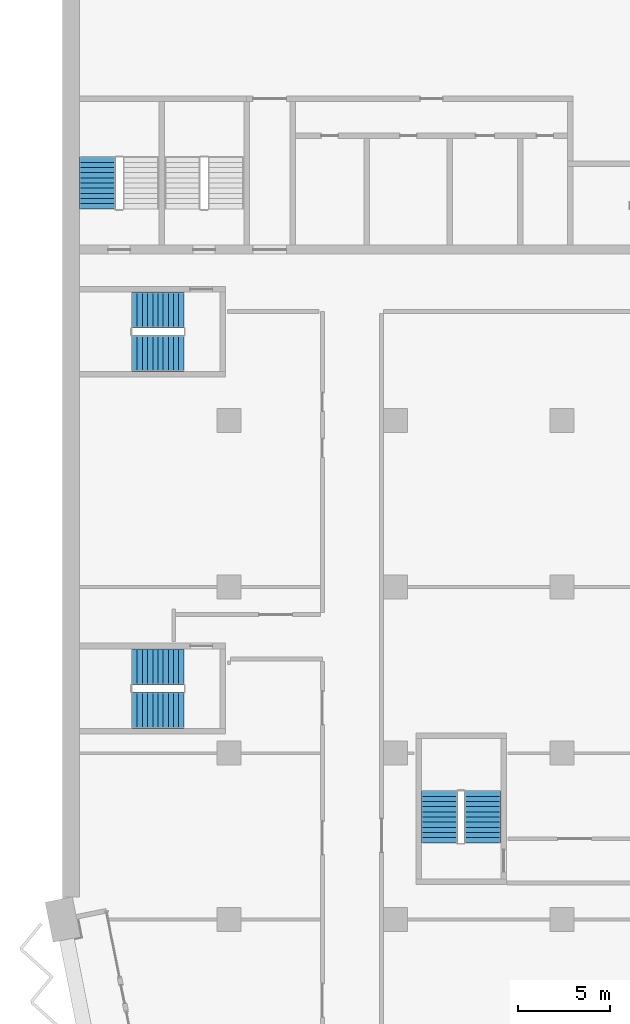
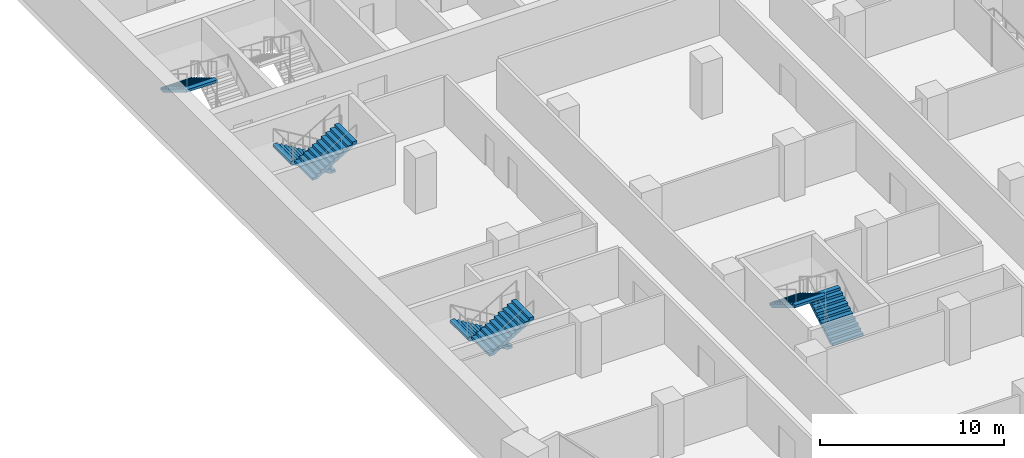
# One storey, part 16 of 23: 7 stair flights, 4 elements without a shape of their own.
"""IFC4 building model written with IfcOpenShell, lengths in metres."""

import ifcopenshell
import ifcopenshell.guid

model = None  # the IFC model being written
_history = None  # IfcOwnerHistory: only IFC2X3 demands one
_inside = {}  # id of a spatial element -> (the spatial element, [elements in it])
_under = {}  # id of a project, library or spatial element -> (it, [spatial elements below it])
_declared = {}  # id of a project -> (the project, [libraries it declares])
_typed = {}  # id of a type object -> (the type object, [elements of that type])
_made_of = {}  # id of a material, layer set ... -> (it, [elements and type objects made of it])


def new_model(schema):
    """Start an empty IFC model of exactly this schema.

    Asked for "IFC4X3", IfcOpenShell would pick the latest addendum, in which some entities
    have other attributes; the version numbers below select the first issue.
    IFC2X3 requires an IfcOwnerHistory on every rooted entity: one is made here for all.
    """
    global model, _history
    if schema == "IFC4X3":
        model = ifcopenshell.file(schema_version=(4, 3, 0, 0))
    else:
        model = ifcopenshell.file(schema=schema)
    _inside.clear()
    _under.clear()
    _declared.clear()
    _typed.clear()
    _made_of.clear()
    _history = None
    if model.schema == "IFC2X3":
        org = make("IfcOrganization", Name="unknown")
        user = make(
            "IfcPersonAndOrganization",
            ThePerson=make("IfcPerson", FamilyName="unknown"),
            TheOrganization=org,
        )
        app = make(
            "IfcApplication",
            ApplicationDeveloper=org,
            Version="unknown",
            ApplicationFullName="unknown",
            ApplicationIdentifier="unknown",
        )
        _history = make(
            "IfcOwnerHistory",
            OwningUser=user,
            OwningApplication=app,
            ChangeAction="ADDED",
            CreationDate=0,
        )
    return model


def make(cls, **values):
    """One entity of the class cls with the attributes given. An attribute that is None is left unset."""
    return model.create_entity(
        cls, **{name: value for name, value in values.items() if value is not None}
    )


def rooted(cls, **values):
    """An entity with a GlobalId (a new one), such as an element, a storey or a relation."""
    return make(cls, GlobalId=ifcopenshell.guid.new(), OwnerHistory=_history, **values)


def si_unit(unit_type, name, prefix=None):
    """IfcSIUnit, for example si_unit("LENGTHUNIT", "METRE", prefix="MILLI")."""
    return make("IfcSIUnit", UnitType=unit_type, Prefix=prefix, Name=name)


def assignment(units):
    """IfcUnitAssignment: the units of a project."""
    return None if units is None else make("IfcUnitAssignment", Units=units)


def point(xyz):
    """IfcCartesianPoint."""
    return None if xyz is None else make("IfcCartesianPoint", Coordinates=xyz)


def direction(xyz):
    """IfcDirection."""
    return None if xyz is None else make("IfcDirection", DirectionRatios=xyz)


def frame(location, z_axis=None, x_axis=None):
    """IfcAxis2Placement3D, a coordinate frame: its origin and axes. An axis left out is left unset."""
    return make(
        "IfcAxis2Placement3D",
        Location=point(location),
        Axis=direction(z_axis),
        RefDirection=direction(x_axis),
    )


def origin():
    """The frame at (0, 0, 0) with its axes left unset."""
    return frame((0.0, 0.0, 0.0))


def place(relative_to, where):
    """IfcLocalPlacement: puts the frame where relative to a parent placement (None: the world)."""
    return make(
        "IfcLocalPlacement", PlacementRelTo=relative_to, RelativePlacement=where
    )


def context(
    kind, dimensions, precision=None, world=None, true_north=None, identifier=None
):
    """IfcGeometricRepresentationContext, for example the 3D "Model" context."""
    return make(
        "IfcGeometricRepresentationContext",
        ContextIdentifier=identifier,
        ContextType=kind,
        CoordinateSpaceDimension=dimensions,
        Precision=precision,
        WorldCoordinateSystem=world,
        TrueNorth=true_north,
    )


def subcontext(parent, identifier, kind, view, scale=None):
    """IfcGeometricRepresentationSubContext, for example "Body" below "Model"."""
    return make(
        "IfcGeometricRepresentationSubContext",
        ContextIdentifier=identifier,
        ContextType=kind,
        ParentContext=parent,
        TargetScale=scale,
        TargetView=view,
    )


def project(units=None, contexts=None):
    """IfcProject with its units and contexts."""
    return rooted(
        "IfcProject",
        Name="project",
        RepresentationContexts=contexts,
        UnitsInContext=assignment(units),
    )


def spatial(cls, under=None, at=None, **own):
    """A site, building, storey or space (cls), placed at a placement, below another one or the project."""
    s = rooted(cls, ObjectPlacement=at, **own)
    if under is not None:
        _under.setdefault(under.id(), (under, []))[1].append(s)
    return s


def polyline(points):
    """IfcPolyline through the points."""
    return make("IfcPolyline", Points=[point(p) for p in points])


def outline(outer, holes=None, kind="AREA"):
    """IfcArbitraryClosedProfileDef: a profile drawn as a closed curve; with holes, ...WithVoids."""
    if holes is None:
        return make("IfcArbitraryClosedProfileDef", ProfileType=kind, OuterCurve=outer)
    return make(
        "IfcArbitraryProfileDefWithVoids",
        ProfileType=kind,
        OuterCurve=outer,
        InnerCurves=holes,
    )


def extrude(swept, where, along, depth):
    """IfcExtrudedAreaSolid: the profile swept, set in the frame where, extruded along a direction by depth."""
    return make(
        "IfcExtrudedAreaSolid",
        SweptArea=swept,
        Position=where,
        ExtrudedDirection=direction(along),
        Depth=depth,
    )


def shape(context_of_items, identifier, shape_type, items):
    """IfcShapeRepresentation: the items that make up one representation, for example the "Body"."""
    return make(
        "IfcShapeRepresentation",
        ContextOfItems=context_of_items,
        RepresentationIdentifier=identifier,
        RepresentationType=shape_type,
        Items=items,
    )


def material(Name=None, Category=None):
    """IfcMaterial."""
    return make("IfcMaterial", Name=Name, Category=Category)


def made_of(thing, what):
    """Note that an element or type object is made of a material, layer set ...; save() writes the relation."""
    if what is not None:
        _made_of.setdefault(what.id(), (what, []))[1].append(thing)
    return thing


def type_object(cls, material=None, **own):
    """A type object (cls), such as IfcWallType, which elements share."""
    return made_of(rooted(cls, **own), material)


def element(
    cls,
    number,
    at=None,
    inside=None,
    cuts=None,
    type_object=None,
    material=None,
    context=None,
    identifier="Body",
    shape_type=None,
    held_by="IfcProductDefinitionShape",
    body=None,
    shapes=None,
    **own,
):
    """One element of the class cls, such as IfcWall. Its Tag is "e" and its number.

    at: its placement. inside: the storey or other place that contains it. cuts: it is an
    opening in that element (IfcRelVoidsElement). A single representation is given by context,
    identifier, shape_type and body (its items); several are given by shapes. held_by: the class
    of the entity that holds the representations. save() writes the other relations.
    """
    e = rooted(cls, Tag="e%d" % number, ObjectPlacement=at, **own)
    if body is not None:
        shapes = [shape(context, identifier, shape_type, body)]
    if shapes is not None:
        e.Representation = make(held_by, Representations=shapes)
    if inside is not None:
        _inside.setdefault(inside.id(), (inside, []))[1].append(e)
    if cuts is not None:
        rooted(
            "IfcRelVoidsElement", RelatingBuildingElement=cuts, RelatedOpeningElement=e
        )
    if type_object is not None:
        _typed.setdefault(type_object.id(), (type_object, []))[1].append(e)
    return made_of(e, material)


def aggregate(whole, parts):
    """IfcRelAggregates: a whole, such as a stair, and the parts it consists of."""
    return rooted("IfcRelAggregates", RelatingObject=whole, RelatedObjects=parts)


def save(model, path):
    """Write the relations noted so far, then the file.

    IfcRelAggregates (storeys below a building ...), IfcRelContainedInSpatialStructure (elements
    in a storey), IfcRelDefinesByType, IfcRelAssociatesMaterial and IfcRelDeclares: one each for
    every whole, place, type object, material and project.
    """
    for whole, parts in _under.values():
        aggregate(whole, parts)
    for where, things in _inside.values():
        rooted(
            "IfcRelContainedInSpatialStructure",
            RelatedElements=things,
            RelatingStructure=where,
        )
    for kind, things in _typed.values():
        rooted("IfcRelDefinesByType", RelatedObjects=things, RelatingType=kind)
    for what, things in _made_of.values():
        rooted("IfcRelAssociatesMaterial", RelatedObjects=things, RelatingMaterial=what)
    for by, libraries in _declared.values():
        rooted("IfcRelDeclares", RelatingContext=by, RelatedDefinitions=libraries)
    model.write(path)


model = new_model("IFC4")

# Units and contexts
model_context = context("Model", 3, precision=1e-05, world=origin(), true_north=direction((0.0, 1.0)))
body_context = subcontext(model_context, "Body", "Model", "MODEL_VIEW")
ifc_project = project(units=[si_unit("LENGTHUNIT", "METRE"), si_unit("AREAUNIT", "SQUARE_METRE"), si_unit("VOLUMEUNIT", "CUBIC_METRE"), si_unit("PLANEANGLEUNIT", "RADIAN"), si_unit("MASSUNIT", "GRAM", prefix="KILO")], contexts=[model_context])

# Site, building, storey
site_placement = place(None, origin())
site = spatial("IfcSite", under=ifc_project, at=site_placement, CompositionType="ELEMENT")
building_placement = place(site_placement, origin())
building = spatial("IfcBuilding", under=site, at=building_placement, Name="Hunhe Ridgeline Campus", CompositionType="ELEMENT")
storey_placement = place(building_placement, frame((0.0, 0.0, 107.0)))
storey = spatial("IfcBuildingStorey", under=building, at=storey_placement, Name="L26", CompositionType="ELEMENT", Elevation=107.0)

# Stair, stair flight
ifc_material = material(Name="Concrete C40", Category="concrete")
stair_type = type_object("IfcStairType", Name="Reinforced concrete dog-leg stair 1950 Concrete C40", PredefinedType="HALF_TURN_STAIR", material=ifc_material)
stair_1_placement = place(storey_placement, origin())
stair_1 = element("IfcStair", 1, at=stair_1_placement, inside=storey, type_object=stair_type, Name="L26 S3", PredefinedType="HALF_TURN_STAIR")
stair_flight_type = type_object("IfcStairFlightType", Name="Reinforced concrete stair flight 1950 Concrete C40", PredefinedType="STRAIGHT", material=ifc_material)
stair_flight_1_placement = place(storey_placement, frame((1.875, 68.25, 1.85009765625), z_axis=(0.0, 0.0, 1.0), x_axis=(0.0, -1.0, 0.0)))
stair_flight_1 = element("IfcStairFlight", 2, at=stair_flight_1_placement, type_object=stair_flight_type, Name="ST3 flight 2", NumberOfRisers=11, NumberOfTreads=10, PredefinedType="STRAIGHT", RiserHeight=0.168181818, TreadLength=0.28, context=body_context, shape_type="SweptSolid", body=[
    extrude(outline(polyline([(0.0, 0.0), (0.0, 0.168212890625), (0.280029296875, 0.168212890625), (0.280029296875, 0.33642578125), (0.56005859375, 0.33642578125), (0.56005859375, 0.504638671875), (0.840087890625, 0.504638671875), (0.840087890625, 0.672607421875), (1.1201171875, 0.672607421875), (1.1201171875, 0.8408203125), (1.39990234375, 0.8408203125), (1.39990234375, 1.009033203125), (1.679931640625, 1.009033203125), (1.679931640625, 1.17724609375), (1.9599609375, 1.17724609375), (1.9599609375, 1.345458984375), (2.239990234375, 1.345458984375), (2.239990234375, 1.513671875), (2.52001953125, 1.513671875), (2.52001953125, 1.681884765625), (2.800048828125, 1.681884765625), (2.800048828125, 1.85009765625), (2.800048828125, 1.5068359375), (0.291015625, 0.0), (0.0, 0.0)])), frame((0.0, 0.97509765625, 0.0), z_axis=(0.0, -1.0, 0.0), x_axis=(1.0, 0.0, 0.0)), (0.0, 0.0, 1.0), 1.949951171875),
    extrude(outline(polyline([(0.030029296875, 0.030029296875), (0.030029296875, 0.13818359375), (0.31005859375, 0.13818359375), (0.31005859375, 0.306396484375), (0.590087890625, 0.306396484375), (0.590087890625, 0.474609375), (0.8701171875, 0.474609375), (0.8701171875, 0.642578125), (1.14990234375, 0.642578125), (1.14990234375, 0.810791015625), (1.429931640625, 0.810791015625), (1.429931640625, 0.97900390625), (1.7099609375, 0.97900390625), (1.7099609375, 1.147216796875), (1.989990234375, 1.147216796875), (1.989990234375, 1.3154296875), (2.27001953125, 1.3154296875), (2.27001953125, 1.483642578125), (2.550048828125, 1.483642578125), (2.550048828125, 1.65185546875), (2.77001953125, 1.65185546875), (2.77001953125, 1.52392578125), (0.28271484375, 0.030029296875), (0.030029296875, 0.030029296875)])), frame((0.0, -0.070068359375, 0.0), z_axis=(0.0, -1.0, 0.0), x_axis=(1.0, 0.0, 0.0)), (0.0, 0.0, 1.0), 0.019775390625),
    extrude(outline(polyline([(0.030029296875, 0.030029296875), (0.030029296875, 0.13818359375), (0.31005859375, 0.13818359375), (0.31005859375, 0.306396484375), (0.590087890625, 0.306396484375), (0.590087890625, 0.474609375), (0.8701171875, 0.474609375), (0.8701171875, 0.642578125), (1.14990234375, 0.642578125), (1.14990234375, 0.810791015625), (1.429931640625, 0.810791015625), (1.429931640625, 0.97900390625), (1.7099609375, 0.97900390625), (1.7099609375, 1.147216796875), (1.989990234375, 1.147216796875), (1.989990234375, 1.3154296875), (2.27001953125, 1.3154296875), (2.27001953125, 1.483642578125), (2.550048828125, 1.483642578125), (2.550048828125, 1.65185546875), (2.77001953125, 1.65185546875), (2.77001953125, 1.52392578125), (0.28271484375, 0.030029296875), (0.030029296875, 0.030029296875)])), frame((0.0, 0.010009765625, 0.0), z_axis=(0.0, -1.0, 0.0), x_axis=(1.0, 0.0, 0.0)), (0.0, 0.0, 1.0), 0.019775390625),
    extrude(outline(polyline([(0.030029296875, 0.030029296875), (0.030029296875, 0.13818359375), (0.31005859375, 0.13818359375), (0.31005859375, 0.306396484375), (0.590087890625, 0.306396484375), (0.590087890625, 0.474609375), (0.8701171875, 0.474609375), (0.8701171875, 0.642578125), (1.14990234375, 0.642578125), (1.14990234375, 0.810791015625), (1.429931640625, 0.810791015625), (1.429931640625, 0.97900390625), (1.7099609375, 0.97900390625), (1.7099609375, 1.147216796875), (1.989990234375, 1.147216796875), (1.989990234375, 1.3154296875), (2.27001953125, 1.3154296875), (2.27001953125, 1.483642578125), (2.550048828125, 1.483642578125), (2.550048828125, 1.65185546875), (2.77001953125, 1.65185546875), (2.77001953125, 1.52392578125), (0.28271484375, 0.030029296875), (0.030029296875, 0.030029296875)])), frame((0.0, 0.090087890625, 0.0), z_axis=(0.0, -1.0, 0.0), x_axis=(1.0, 0.0, 0.0)), (0.0, 0.0, 1.0), 0.019775390625),
])
aggregate(stair_1, [stair_flight_1])

# Stair, stair flights
stair_2_placement = place(storey_placement, origin())
stair_2 = element("IfcStair", 3, at=stair_2_placement, inside=storey, type_object=stair_type, Name="L26 W3", PredefinedType="HALF_TURN_STAIR")
stair_flight_2_placement = place(storey_placement, frame((22.72509765625, 31.14990234375, 0.0), z_axis=(0.0, 0.0, 1.0), x_axis=(0.0, 1.0, 0.0)))
stair_flight_2 = element("IfcStairFlight", 4, at=stair_flight_2_placement, type_object=stair_flight_type, Name="ST9 flight 1", NumberOfRisers=11, NumberOfTreads=10, PredefinedType="STRAIGHT", RiserHeight=0.168181818, TreadLength=0.28, context=body_context, shape_type="SweptSolid", body=[
    extrude(outline(polyline([(0.0, 0.0), (0.0, 0.168212890625), (0.280029296875, 0.168212890625), (0.280029296875, 0.33642578125), (0.56005859375, 0.33642578125), (0.56005859375, 0.504638671875), (0.840087890625, 0.504638671875), (0.840087890625, 0.672607421875), (1.1201171875, 0.672607421875), (1.1201171875, 0.8408203125), (1.39990234375, 0.8408203125), (1.39990234375, 1.009033203125), (1.679931640625, 1.009033203125), (1.679931640625, 1.17724609375), (1.9599609375, 1.17724609375), (1.9599609375, 1.345458984375), (2.239990234375, 1.345458984375), (2.239990234375, 1.513671875), (2.52001953125, 1.513671875), (2.52001953125, 1.681884765625), (2.800048828125, 1.681884765625), (2.800048828125, 1.85009765625), (2.800048828125, 1.5068359375), (0.291015625, 0.0), (0.0, 0.0)])), frame((0.0, 0.97509765625, 0.0), z_axis=(0.0, -1.0, 0.0), x_axis=(1.0, 0.0, 0.0)), (0.0, 0.0, 1.0), 1.949951171875),
    extrude(outline(polyline([(0.030029296875, 0.030029296875), (0.030029296875, 0.13818359375), (0.31005859375, 0.13818359375), (0.31005859375, 0.306396484375), (0.590087890625, 0.306396484375), (0.590087890625, 0.474609375), (0.8701171875, 0.474609375), (0.8701171875, 0.642578125), (1.14990234375, 0.642578125), (1.14990234375, 0.810791015625), (1.429931640625, 0.810791015625), (1.429931640625, 0.97900390625), (1.7099609375, 0.97900390625), (1.7099609375, 1.147216796875), (1.989990234375, 1.147216796875), (1.989990234375, 1.3154296875), (2.27001953125, 1.3154296875), (2.27001953125, 1.483642578125), (2.550048828125, 1.483642578125), (2.550048828125, 1.65185546875), (2.77001953125, 1.65185546875), (2.77001953125, 1.52392578125), (0.28271484375, 0.030029296875), (0.030029296875, 0.030029296875)])), frame((0.0, -0.070068359375, 0.0), z_axis=(0.0, -1.0, 0.0), x_axis=(1.0, 0.0, 0.0)), (0.0, 0.0, 1.0), 0.019775390625),
    extrude(outline(polyline([(0.030029296875, 0.030029296875), (0.030029296875, 0.13818359375), (0.31005859375, 0.13818359375), (0.31005859375, 0.306396484375), (0.590087890625, 0.306396484375), (0.590087890625, 0.474609375), (0.8701171875, 0.474609375), (0.8701171875, 0.642578125), (1.14990234375, 0.642578125), (1.14990234375, 0.810791015625), (1.429931640625, 0.810791015625), (1.429931640625, 0.97900390625), (1.7099609375, 0.97900390625), (1.7099609375, 1.147216796875), (1.989990234375, 1.147216796875), (1.989990234375, 1.3154296875), (2.27001953125, 1.3154296875), (2.27001953125, 1.483642578125), (2.550048828125, 1.483642578125), (2.550048828125, 1.65185546875), (2.77001953125, 1.65185546875), (2.77001953125, 1.52392578125), (0.28271484375, 0.030029296875), (0.030029296875, 0.030029296875)])), frame((0.0, 0.010009765625, 0.0), z_axis=(0.0, -1.0, 0.0), x_axis=(1.0, 0.0, 0.0)), (0.0, 0.0, 1.0), 0.019775390625),
    extrude(outline(polyline([(0.030029296875, 0.030029296875), (0.030029296875, 0.13818359375), (0.31005859375, 0.13818359375), (0.31005859375, 0.306396484375), (0.590087890625, 0.306396484375), (0.590087890625, 0.474609375), (0.8701171875, 0.474609375), (0.8701171875, 0.642578125), (1.14990234375, 0.642578125), (1.14990234375, 0.810791015625), (1.429931640625, 0.810791015625), (1.429931640625, 0.97900390625), (1.7099609375, 0.97900390625), (1.7099609375, 1.147216796875), (1.989990234375, 1.147216796875), (1.989990234375, 1.3154296875), (2.27001953125, 1.3154296875), (2.27001953125, 1.483642578125), (2.550048828125, 1.483642578125), (2.550048828125, 1.65185546875), (2.77001953125, 1.65185546875), (2.77001953125, 1.52392578125), (0.28271484375, 0.030029296875), (0.030029296875, 0.030029296875)])), frame((0.0, 0.090087890625, 0.0), z_axis=(0.0, -1.0, 0.0), x_axis=(1.0, 0.0, 0.0)), (0.0, 0.0, 1.0), 0.019775390625),
])
stair_flight_3_placement = place(storey_placement, frame((20.375, 33.949951171875, 1.85009765625), z_axis=(0.0, 0.0, 1.0), x_axis=(0.0, -1.0, 0.0)))
stair_flight_3 = element("IfcStairFlight", 5, at=stair_flight_3_placement, type_object=stair_flight_type, Name="ST9 flight 2", NumberOfRisers=11, NumberOfTreads=10, PredefinedType="STRAIGHT", RiserHeight=0.168181818, TreadLength=0.28, context=body_context, shape_type="SweptSolid", body=[
    extrude(outline(polyline([(0.0, 0.0), (0.0, 0.168212890625), (0.280029296875, 0.168212890625), (0.280029296875, 0.33642578125), (0.56005859375, 0.33642578125), (0.56005859375, 0.504638671875), (0.840087890625, 0.504638671875), (0.840087890625, 0.672607421875), (1.1201171875, 0.672607421875), (1.1201171875, 0.8408203125), (1.39990234375, 0.8408203125), (1.39990234375, 1.009033203125), (1.679931640625, 1.009033203125), (1.679931640625, 1.17724609375), (1.9599609375, 1.17724609375), (1.9599609375, 1.345458984375), (2.239990234375, 1.345458984375), (2.239990234375, 1.513671875), (2.52001953125, 1.513671875), (2.52001953125, 1.681884765625), (2.800048828125, 1.681884765625), (2.800048828125, 1.85009765625), (2.800048828125, 1.5068359375), (0.291015625, 0.0), (0.0, 0.0)])), frame((0.0, 0.97509765625, 0.0), z_axis=(0.0, -1.0, 0.0), x_axis=(1.0, 0.0, 0.0)), (0.0, 0.0, 1.0), 1.949951171875),
    extrude(outline(polyline([(0.030029296875, 0.030029296875), (0.030029296875, 0.13818359375), (0.31005859375, 0.13818359375), (0.31005859375, 0.306396484375), (0.590087890625, 0.306396484375), (0.590087890625, 0.474609375), (0.8701171875, 0.474609375), (0.8701171875, 0.642578125), (1.14990234375, 0.642578125), (1.14990234375, 0.810791015625), (1.429931640625, 0.810791015625), (1.429931640625, 0.97900390625), (1.7099609375, 0.97900390625), (1.7099609375, 1.147216796875), (1.989990234375, 1.147216796875), (1.989990234375, 1.3154296875), (2.27001953125, 1.3154296875), (2.27001953125, 1.483642578125), (2.550048828125, 1.483642578125), (2.550048828125, 1.65185546875), (2.77001953125, 1.65185546875), (2.77001953125, 1.52392578125), (0.28271484375, 0.030029296875), (0.030029296875, 0.030029296875)])), frame((0.0, -0.070068359375, 0.0), z_axis=(0.0, -1.0, 0.0), x_axis=(1.0, 0.0, 0.0)), (0.0, 0.0, 1.0), 0.019775390625),
    extrude(outline(polyline([(0.030029296875, 0.030029296875), (0.030029296875, 0.13818359375), (0.31005859375, 0.13818359375), (0.31005859375, 0.306396484375), (0.590087890625, 0.306396484375), (0.590087890625, 0.474609375), (0.8701171875, 0.474609375), (0.8701171875, 0.642578125), (1.14990234375, 0.642578125), (1.14990234375, 0.810791015625), (1.429931640625, 0.810791015625), (1.429931640625, 0.97900390625), (1.7099609375, 0.97900390625), (1.7099609375, 1.147216796875), (1.989990234375, 1.147216796875), (1.989990234375, 1.3154296875), (2.27001953125, 1.3154296875), (2.27001953125, 1.483642578125), (2.550048828125, 1.483642578125), (2.550048828125, 1.65185546875), (2.77001953125, 1.65185546875), (2.77001953125, 1.52392578125), (0.28271484375, 0.030029296875), (0.030029296875, 0.030029296875)])), frame((0.0, 0.010009765625, 0.0), z_axis=(0.0, -1.0, 0.0), x_axis=(1.0, 0.0, 0.0)), (0.0, 0.0, 1.0), 0.019775390625),
    extrude(outline(polyline([(0.030029296875, 0.030029296875), (0.030029296875, 0.13818359375), (0.31005859375, 0.13818359375), (0.31005859375, 0.306396484375), (0.590087890625, 0.306396484375), (0.590087890625, 0.474609375), (0.8701171875, 0.474609375), (0.8701171875, 0.642578125), (1.14990234375, 0.642578125), (1.14990234375, 0.810791015625), (1.429931640625, 0.810791015625), (1.429931640625, 0.97900390625), (1.7099609375, 0.97900390625), (1.7099609375, 1.147216796875), (1.989990234375, 1.147216796875), (1.989990234375, 1.3154296875), (2.27001953125, 1.3154296875), (2.27001953125, 1.483642578125), (2.550048828125, 1.483642578125), (2.550048828125, 1.65185546875), (2.77001953125, 1.65185546875), (2.77001953125, 1.52392578125), (0.28271484375, 0.030029296875), (0.030029296875, 0.030029296875)])), frame((0.0, 0.090087890625, 0.0), z_axis=(0.0, -1.0, 0.0), x_axis=(1.0, 0.0, 0.0)), (0.0, 0.0, 1.0), 0.019775390625),
])
aggregate(stair_2, [stair_flight_2, stair_flight_3])

stair_3_placement = place(storey_placement, origin())
stair_3 = element("IfcStair", 6, at=stair_3_placement, inside=storey, type_object=stair_type, Name="L26 W1", PredefinedType="HALF_TURN_STAIR")
stair_flight_4_placement = place(storey_placement, frame((6.550048828125, 40.675048828125, 0.0), z_axis=(0.0, 0.0, 1.0), x_axis=(-1.0, 0.0, 0.0)))
stair_flight_4 = element("IfcStairFlight", 7, at=stair_flight_4_placement, type_object=stair_flight_type, Name="ST11 flight 1", NumberOfRisers=11, NumberOfTreads=10, PredefinedType="STRAIGHT", RiserHeight=0.168181818, TreadLength=0.28, context=body_context, shape_type="SweptSolid", body=[
    extrude(outline(polyline([(0.0, 0.0), (0.0, 0.168212890625), (0.280029296875, 0.168212890625), (0.280029296875, 0.33642578125), (0.56005859375, 0.33642578125), (0.56005859375, 0.504638671875), (0.840087890625, 0.504638671875), (0.840087890625, 0.672607421875), (1.1201171875, 0.672607421875), (1.1201171875, 0.8408203125), (1.39990234375, 0.8408203125), (1.39990234375, 1.009033203125), (1.679931640625, 1.009033203125), (1.679931640625, 1.17724609375), (1.9599609375, 1.17724609375), (1.9599609375, 1.345458984375), (2.239990234375, 1.345458984375), (2.239990234375, 1.513671875), (2.52001953125, 1.513671875), (2.52001953125, 1.681884765625), (2.800048828125, 1.681884765625), (2.800048828125, 1.85009765625), (2.800048828125, 1.5068359375), (0.291015625, 0.0), (0.0, 0.0)])), frame((0.0, 0.97509765625, 0.0), z_axis=(0.0, -1.0, 0.0), x_axis=(1.0, 0.0, 0.0)), (0.0, 0.0, 1.0), 1.949951171875),
    extrude(outline(polyline([(0.030029296875, 0.030029296875), (0.030029296875, 0.13818359375), (0.31005859375, 0.13818359375), (0.31005859375, 0.306396484375), (0.590087890625, 0.306396484375), (0.590087890625, 0.474609375), (0.8701171875, 0.474609375), (0.8701171875, 0.642578125), (1.14990234375, 0.642578125), (1.14990234375, 0.810791015625), (1.429931640625, 0.810791015625), (1.429931640625, 0.97900390625), (1.7099609375, 0.97900390625), (1.7099609375, 1.147216796875), (1.989990234375, 1.147216796875), (1.989990234375, 1.3154296875), (2.27001953125, 1.3154296875), (2.27001953125, 1.483642578125), (2.550048828125, 1.483642578125), (2.550048828125, 1.65185546875), (2.77001953125, 1.65185546875), (2.77001953125, 1.52392578125), (0.28271484375, 0.030029296875), (0.030029296875, 0.030029296875)])), frame((0.0, -0.070068359375, 0.0), z_axis=(0.0, -1.0, 0.0), x_axis=(1.0, 0.0, 0.0)), (0.0, 0.0, 1.0), 0.019775390625),
    extrude(outline(polyline([(0.030029296875, 0.030029296875), (0.030029296875, 0.13818359375), (0.31005859375, 0.13818359375), (0.31005859375, 0.306396484375), (0.590087890625, 0.306396484375), (0.590087890625, 0.474609375), (0.8701171875, 0.474609375), (0.8701171875, 0.642578125), (1.14990234375, 0.642578125), (1.14990234375, 0.810791015625), (1.429931640625, 0.810791015625), (1.429931640625, 0.97900390625), (1.7099609375, 0.97900390625), (1.7099609375, 1.147216796875), (1.989990234375, 1.147216796875), (1.989990234375, 1.3154296875), (2.27001953125, 1.3154296875), (2.27001953125, 1.483642578125), (2.550048828125, 1.483642578125), (2.550048828125, 1.65185546875), (2.77001953125, 1.65185546875), (2.77001953125, 1.52392578125), (0.28271484375, 0.030029296875), (0.030029296875, 0.030029296875)])), frame((0.0, 0.010009765625, 0.0), z_axis=(0.0, -1.0, 0.0), x_axis=(1.0, 0.0, 0.0)), (0.0, 0.0, 1.0), 0.019775390625),
    extrude(outline(polyline([(0.030029296875, 0.030029296875), (0.030029296875, 0.13818359375), (0.31005859375, 0.13818359375), (0.31005859375, 0.306396484375), (0.590087890625, 0.306396484375), (0.590087890625, 0.474609375), (0.8701171875, 0.474609375), (0.8701171875, 0.642578125), (1.14990234375, 0.642578125), (1.14990234375, 0.810791015625), (1.429931640625, 0.810791015625), (1.429931640625, 0.97900390625), (1.7099609375, 0.97900390625), (1.7099609375, 1.147216796875), (1.989990234375, 1.147216796875), (1.989990234375, 1.3154296875), (2.27001953125, 1.3154296875), (2.27001953125, 1.483642578125), (2.550048828125, 1.483642578125), (2.550048828125, 1.65185546875), (2.77001953125, 1.65185546875), (2.77001953125, 1.52392578125), (0.28271484375, 0.030029296875), (0.030029296875, 0.030029296875)])), frame((0.0, 0.090087890625, 0.0), z_axis=(0.0, -1.0, 0.0), x_axis=(1.0, 0.0, 0.0)), (0.0, 0.0, 1.0), 0.019775390625),
])
stair_flight_5_placement = place(storey_placement, frame((3.75, 38.324951171875, 1.85009765625), z_axis=(0.0, 0.0, 1.0), x_axis=(1.0, 0.0, 0.0)))
stair_flight_5 = element("IfcStairFlight", 8, at=stair_flight_5_placement, type_object=stair_flight_type, Name="ST11 flight 2", NumberOfRisers=11, NumberOfTreads=10, PredefinedType="STRAIGHT", RiserHeight=0.168181818, TreadLength=0.28, context=body_context, shape_type="SweptSolid", body=[
    extrude(outline(polyline([(0.0, 0.0), (0.0, 0.168212890625), (0.280029296875, 0.168212890625), (0.280029296875, 0.33642578125), (0.56005859375, 0.33642578125), (0.56005859375, 0.504638671875), (0.840087890625, 0.504638671875), (0.840087890625, 0.672607421875), (1.1201171875, 0.672607421875), (1.1201171875, 0.8408203125), (1.39990234375, 0.8408203125), (1.39990234375, 1.009033203125), (1.679931640625, 1.009033203125), (1.679931640625, 1.17724609375), (1.9599609375, 1.17724609375), (1.9599609375, 1.345458984375), (2.239990234375, 1.345458984375), (2.239990234375, 1.513671875), (2.52001953125, 1.513671875), (2.52001953125, 1.681884765625), (2.800048828125, 1.681884765625), (2.800048828125, 1.85009765625), (2.800048828125, 1.5068359375), (0.291015625, 0.0), (0.0, 0.0)])), frame((0.0, 0.97509765625, 0.0), z_axis=(0.0, -1.0, 0.0), x_axis=(1.0, 0.0, 0.0)), (0.0, 0.0, 1.0), 1.949951171875),
    extrude(outline(polyline([(0.030029296875, 0.030029296875), (0.030029296875, 0.13818359375), (0.31005859375, 0.13818359375), (0.31005859375, 0.306396484375), (0.590087890625, 0.306396484375), (0.590087890625, 0.474609375), (0.8701171875, 0.474609375), (0.8701171875, 0.642578125), (1.14990234375, 0.642578125), (1.14990234375, 0.810791015625), (1.429931640625, 0.810791015625), (1.429931640625, 0.97900390625), (1.7099609375, 0.97900390625), (1.7099609375, 1.147216796875), (1.989990234375, 1.147216796875), (1.989990234375, 1.3154296875), (2.27001953125, 1.3154296875), (2.27001953125, 1.483642578125), (2.550048828125, 1.483642578125), (2.550048828125, 1.65185546875), (2.77001953125, 1.65185546875), (2.77001953125, 1.52392578125), (0.28271484375, 0.030029296875), (0.030029296875, 0.030029296875)])), frame((0.0, -0.070068359375, 0.0), z_axis=(0.0, -1.0, 0.0), x_axis=(1.0, 0.0, 0.0)), (0.0, 0.0, 1.0), 0.019775390625),
    extrude(outline(polyline([(0.030029296875, 0.030029296875), (0.030029296875, 0.13818359375), (0.31005859375, 0.13818359375), (0.31005859375, 0.306396484375), (0.590087890625, 0.306396484375), (0.590087890625, 0.474609375), (0.8701171875, 0.474609375), (0.8701171875, 0.642578125), (1.14990234375, 0.642578125), (1.14990234375, 0.810791015625), (1.429931640625, 0.810791015625), (1.429931640625, 0.97900390625), (1.7099609375, 0.97900390625), (1.7099609375, 1.147216796875), (1.989990234375, 1.147216796875), (1.989990234375, 1.3154296875), (2.27001953125, 1.3154296875), (2.27001953125, 1.483642578125), (2.550048828125, 1.483642578125), (2.550048828125, 1.65185546875), (2.77001953125, 1.65185546875), (2.77001953125, 1.52392578125), (0.28271484375, 0.030029296875), (0.030029296875, 0.030029296875)])), frame((0.0, 0.010009765625, 0.0), z_axis=(0.0, -1.0, 0.0), x_axis=(1.0, 0.0, 0.0)), (0.0, 0.0, 1.0), 0.019775390625),
    extrude(outline(polyline([(0.030029296875, 0.030029296875), (0.030029296875, 0.13818359375), (0.31005859375, 0.13818359375), (0.31005859375, 0.306396484375), (0.590087890625, 0.306396484375), (0.590087890625, 0.474609375), (0.8701171875, 0.474609375), (0.8701171875, 0.642578125), (1.14990234375, 0.642578125), (1.14990234375, 0.810791015625), (1.429931640625, 0.810791015625), (1.429931640625, 0.97900390625), (1.7099609375, 0.97900390625), (1.7099609375, 1.147216796875), (1.989990234375, 1.147216796875), (1.989990234375, 1.3154296875), (2.27001953125, 1.3154296875), (2.27001953125, 1.483642578125), (2.550048828125, 1.483642578125), (2.550048828125, 1.65185546875), (2.77001953125, 1.65185546875), (2.77001953125, 1.52392578125), (0.28271484375, 0.030029296875), (0.030029296875, 0.030029296875)])), frame((0.0, 0.090087890625, 0.0), z_axis=(0.0, -1.0, 0.0), x_axis=(1.0, 0.0, 0.0)), (0.0, 0.0, 1.0), 0.019775390625),
])
aggregate(stair_3, [stair_flight_4, stair_flight_5])

stair_4_placement = place(storey_placement, origin())
stair_4 = element("IfcStair", 9, at=stair_4_placement, inside=storey, type_object=stair_type, Name="L26 W2", PredefinedType="HALF_TURN_STAIR")
stair_flight_6_placement = place(storey_placement, frame((6.550048828125, 59.97509765625, 0.0), z_axis=(0.0, 0.0, 1.0), x_axis=(-1.0, 0.0, 0.0)))
stair_flight_6 = element("IfcStairFlight", 10, at=stair_flight_6_placement, type_object=stair_flight_type, Name="ST12 flight 1", NumberOfRisers=11, NumberOfTreads=10, PredefinedType="STRAIGHT", RiserHeight=0.168181818, TreadLength=0.28, context=body_context, shape_type="SweptSolid", body=[
    extrude(outline(polyline([(0.0, 0.0), (0.0, 0.168212890625), (0.280029296875, 0.168212890625), (0.280029296875, 0.33642578125), (0.56005859375, 0.33642578125), (0.56005859375, 0.504638671875), (0.840087890625, 0.504638671875), (0.840087890625, 0.672607421875), (1.1201171875, 0.672607421875), (1.1201171875, 0.8408203125), (1.39990234375, 0.8408203125), (1.39990234375, 1.009033203125), (1.679931640625, 1.009033203125), (1.679931640625, 1.17724609375), (1.9599609375, 1.17724609375), (1.9599609375, 1.345458984375), (2.239990234375, 1.345458984375), (2.239990234375, 1.513671875), (2.52001953125, 1.513671875), (2.52001953125, 1.681884765625), (2.800048828125, 1.681884765625), (2.800048828125, 1.85009765625), (2.800048828125, 1.5068359375), (0.291015625, 0.0), (0.0, 0.0)])), frame((0.0, 0.97509765625, 0.0), z_axis=(0.0, -1.0, 0.0), x_axis=(1.0, 0.0, 0.0)), (0.0, 0.0, 1.0), 1.949951171875),
    extrude(outline(polyline([(0.030029296875, 0.030029296875), (0.030029296875, 0.13818359375), (0.31005859375, 0.13818359375), (0.31005859375, 0.306396484375), (0.590087890625, 0.306396484375), (0.590087890625, 0.474609375), (0.8701171875, 0.474609375), (0.8701171875, 0.642578125), (1.14990234375, 0.642578125), (1.14990234375, 0.810791015625), (1.429931640625, 0.810791015625), (1.429931640625, 0.97900390625), (1.7099609375, 0.97900390625), (1.7099609375, 1.147216796875), (1.989990234375, 1.147216796875), (1.989990234375, 1.3154296875), (2.27001953125, 1.3154296875), (2.27001953125, 1.483642578125), (2.550048828125, 1.483642578125), (2.550048828125, 1.65185546875), (2.77001953125, 1.65185546875), (2.77001953125, 1.52392578125), (0.28271484375, 0.030029296875), (0.030029296875, 0.030029296875)])), frame((0.0, -0.070068359375, 0.0), z_axis=(0.0, -1.0, 0.0), x_axis=(1.0, 0.0, 0.0)), (0.0, 0.0, 1.0), 0.019775390625),
    extrude(outline(polyline([(0.030029296875, 0.030029296875), (0.030029296875, 0.13818359375), (0.31005859375, 0.13818359375), (0.31005859375, 0.306396484375), (0.590087890625, 0.306396484375), (0.590087890625, 0.474609375), (0.8701171875, 0.474609375), (0.8701171875, 0.642578125), (1.14990234375, 0.642578125), (1.14990234375, 0.810791015625), (1.429931640625, 0.810791015625), (1.429931640625, 0.97900390625), (1.7099609375, 0.97900390625), (1.7099609375, 1.147216796875), (1.989990234375, 1.147216796875), (1.989990234375, 1.3154296875), (2.27001953125, 1.3154296875), (2.27001953125, 1.483642578125), (2.550048828125, 1.483642578125), (2.550048828125, 1.65185546875), (2.77001953125, 1.65185546875), (2.77001953125, 1.52392578125), (0.28271484375, 0.030029296875), (0.030029296875, 0.030029296875)])), frame((0.0, 0.010009765625, 0.0), z_axis=(0.0, -1.0, 0.0), x_axis=(1.0, 0.0, 0.0)), (0.0, 0.0, 1.0), 0.019775390625),
    extrude(outline(polyline([(0.030029296875, 0.030029296875), (0.030029296875, 0.13818359375), (0.31005859375, 0.13818359375), (0.31005859375, 0.306396484375), (0.590087890625, 0.306396484375), (0.590087890625, 0.474609375), (0.8701171875, 0.474609375), (0.8701171875, 0.642578125), (1.14990234375, 0.642578125), (1.14990234375, 0.810791015625), (1.429931640625, 0.810791015625), (1.429931640625, 0.97900390625), (1.7099609375, 0.97900390625), (1.7099609375, 1.147216796875), (1.989990234375, 1.147216796875), (1.989990234375, 1.3154296875), (2.27001953125, 1.3154296875), (2.27001953125, 1.483642578125), (2.550048828125, 1.483642578125), (2.550048828125, 1.65185546875), (2.77001953125, 1.65185546875), (2.77001953125, 1.52392578125), (0.28271484375, 0.030029296875), (0.030029296875, 0.030029296875)])), frame((0.0, 0.090087890625, 0.0), z_axis=(0.0, -1.0, 0.0), x_axis=(1.0, 0.0, 0.0)), (0.0, 0.0, 1.0), 0.019775390625),
])
stair_flight_7_placement = place(storey_placement, frame((3.75, 57.625, 1.85009765625), z_axis=(0.0, 0.0, 1.0), x_axis=(1.0, 0.0, 0.0)))
stair_flight_7 = element("IfcStairFlight", 11, at=stair_flight_7_placement, type_object=stair_flight_type, Name="ST12 flight 2", NumberOfRisers=11, NumberOfTreads=10, PredefinedType="STRAIGHT", RiserHeight=0.168181818, TreadLength=0.28, context=body_context, shape_type="SweptSolid", body=[
    extrude(outline(polyline([(0.0, 0.0), (0.0, 0.168212890625), (0.280029296875, 0.168212890625), (0.280029296875, 0.33642578125), (0.56005859375, 0.33642578125), (0.56005859375, 0.504638671875), (0.840087890625, 0.504638671875), (0.840087890625, 0.672607421875), (1.1201171875, 0.672607421875), (1.1201171875, 0.8408203125), (1.39990234375, 0.8408203125), (1.39990234375, 1.009033203125), (1.679931640625, 1.009033203125), (1.679931640625, 1.17724609375), (1.9599609375, 1.17724609375), (1.9599609375, 1.345458984375), (2.239990234375, 1.345458984375), (2.239990234375, 1.513671875), (2.52001953125, 1.513671875), (2.52001953125, 1.681884765625), (2.800048828125, 1.681884765625), (2.800048828125, 1.85009765625), (2.800048828125, 1.5068359375), (0.291015625, 0.0), (0.0, 0.0)])), frame((0.0, 0.97509765625, 0.0), z_axis=(0.0, -1.0, 0.0), x_axis=(1.0, 0.0, 0.0)), (0.0, 0.0, 1.0), 1.949951171875),
    extrude(outline(polyline([(0.030029296875, 0.030029296875), (0.030029296875, 0.13818359375), (0.31005859375, 0.13818359375), (0.31005859375, 0.306396484375), (0.590087890625, 0.306396484375), (0.590087890625, 0.474609375), (0.8701171875, 0.474609375), (0.8701171875, 0.642578125), (1.14990234375, 0.642578125), (1.14990234375, 0.810791015625), (1.429931640625, 0.810791015625), (1.429931640625, 0.97900390625), (1.7099609375, 0.97900390625), (1.7099609375, 1.147216796875), (1.989990234375, 1.147216796875), (1.989990234375, 1.3154296875), (2.27001953125, 1.3154296875), (2.27001953125, 1.483642578125), (2.550048828125, 1.483642578125), (2.550048828125, 1.65185546875), (2.77001953125, 1.65185546875), (2.77001953125, 1.52392578125), (0.28271484375, 0.030029296875), (0.030029296875, 0.030029296875)])), frame((0.0, -0.070068359375, 0.0), z_axis=(0.0, -1.0, 0.0), x_axis=(1.0, 0.0, 0.0)), (0.0, 0.0, 1.0), 0.019775390625),
    extrude(outline(polyline([(0.030029296875, 0.030029296875), (0.030029296875, 0.13818359375), (0.31005859375, 0.13818359375), (0.31005859375, 0.306396484375), (0.590087890625, 0.306396484375), (0.590087890625, 0.474609375), (0.8701171875, 0.474609375), (0.8701171875, 0.642578125), (1.14990234375, 0.642578125), (1.14990234375, 0.810791015625), (1.429931640625, 0.810791015625), (1.429931640625, 0.97900390625), (1.7099609375, 0.97900390625), (1.7099609375, 1.147216796875), (1.989990234375, 1.147216796875), (1.989990234375, 1.3154296875), (2.27001953125, 1.3154296875), (2.27001953125, 1.483642578125), (2.550048828125, 1.483642578125), (2.550048828125, 1.65185546875), (2.77001953125, 1.65185546875), (2.77001953125, 1.52392578125), (0.28271484375, 0.030029296875), (0.030029296875, 0.030029296875)])), frame((0.0, 0.010009765625, 0.0), z_axis=(0.0, -1.0, 0.0), x_axis=(1.0, 0.0, 0.0)), (0.0, 0.0, 1.0), 0.019775390625),
    extrude(outline(polyline([(0.030029296875, 0.030029296875), (0.030029296875, 0.13818359375), (0.31005859375, 0.13818359375), (0.31005859375, 0.306396484375), (0.590087890625, 0.306396484375), (0.590087890625, 0.474609375), (0.8701171875, 0.474609375), (0.8701171875, 0.642578125), (1.14990234375, 0.642578125), (1.14990234375, 0.810791015625), (1.429931640625, 0.810791015625), (1.429931640625, 0.97900390625), (1.7099609375, 0.97900390625), (1.7099609375, 1.147216796875), (1.989990234375, 1.147216796875), (1.989990234375, 1.3154296875), (2.27001953125, 1.3154296875), (2.27001953125, 1.483642578125), (2.550048828125, 1.483642578125), (2.550048828125, 1.65185546875), (2.77001953125, 1.65185546875), (2.77001953125, 1.52392578125), (0.28271484375, 0.030029296875), (0.030029296875, 0.030029296875)])), frame((0.0, 0.090087890625, 0.0), z_axis=(0.0, -1.0, 0.0), x_axis=(1.0, 0.0, 0.0)), (0.0, 0.0, 1.0), 0.019775390625),
])
aggregate(stair_4, [stair_flight_6, stair_flight_7])

save(model, "model.ifc")
